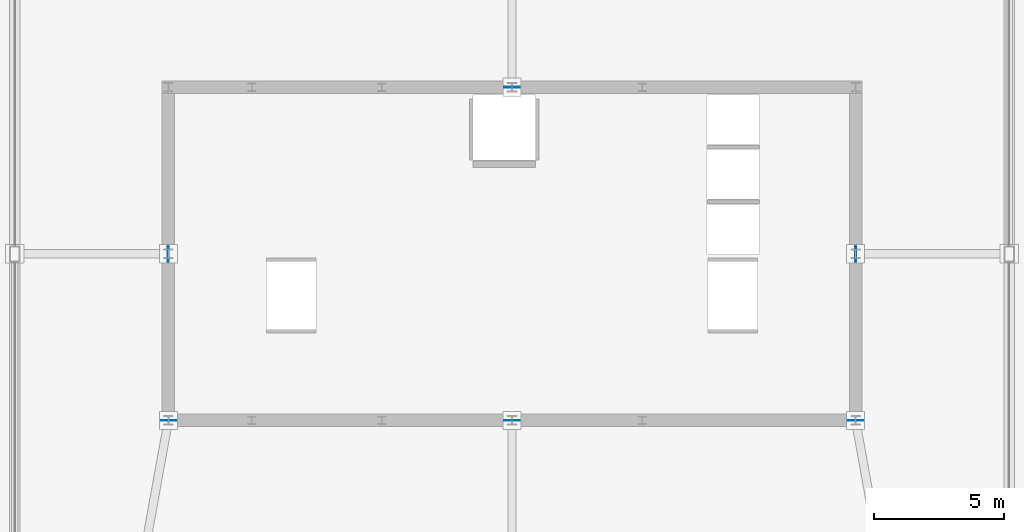
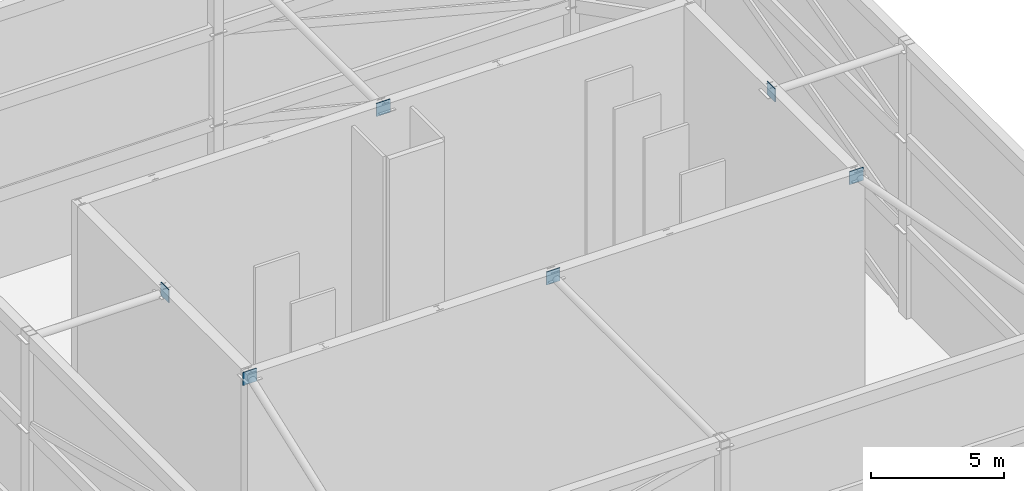
# One storey, part 5 of 6: 6 discrete accessories.
"""IFC4 building model written with IfcOpenShell, lengths in metres."""

from ifc_helpers import new_model, si_unit, direction, frame, origin, origin_2d, place, context, subcontext, project, spatial, rectangle, extrude, source, transform, mapped, material, layer, layer_set, type_object, element, save


model = new_model("IFC4")

# Units and contexts
model_context = context("Model", 3, precision=1e-05, world=origin(), true_north=direction((0.0, 1.0)))
body_context = subcontext(model_context, "Body", "Model", "MODEL_VIEW")
ifc_project = project(units=[si_unit("LENGTHUNIT", "METRE"), si_unit("AREAUNIT", "SQUARE_METRE"), si_unit("VOLUMEUNIT", "CUBIC_METRE"), si_unit("PLANEANGLEUNIT", "RADIAN"), si_unit("MASSUNIT", "GRAM", prefix="KILO"), si_unit("THERMODYNAMICTEMPERATUREUNIT", "KELVIN"), si_unit("POWERUNIT", "WATT")], contexts=[model_context])

# Site, building, storey
site_placement = place(None, origin())
site = spatial("IfcSite", under=ifc_project, at=site_placement, CompositionType="ELEMENT")
building_placement = place(site_placement, origin())
building = spatial("IfcBuilding", under=site, at=building_placement, Name="Yuzanri Waterfront Tower", CompositionType="ELEMENT")
storey_placement = place(building_placement, frame((0.0, 0.0, 351.199951171875)))
storey = spatial("IfcBuildingStorey", under=building, at=storey_placement, Name="L94", CompositionType="ELEMENT", Elevation=351.199951171875)

# Discrete accessories
ifc_material = material(Name="Steel Q355B", Category="steel")
ifc_layer = layer(ifc_material, 0.031982421875)
ifc_layer_set = layer_set([ifc_layer], Name="Steel Q355B")
discrete_accessory_type = type_object("IfcDiscreteAccessoryType", Name="Steel Q355B Core Wall Cast-In Embed Plate 600x600x32", PredefinedType="USERDEFINED", material=ifc_layer_set)
shared_shape = source(origin(), body_context, "Body", "SweptSolid", [
    extrude(rectangle(XDim=0.60009765625, YDim=0.031982421875, at=origin_2d()), origin(), (0.0, 0.0, 1.0), 0.60009765625),
])
for number, where, z_axis, x_axis, name in (
    (1, (37.0, 19.39990234375, 12.0), (0.0, 0.0, 1.0), (1.0, 0.0, 0.0), "Core Wall Cast-In Embed Plate EP-01"),
    (2, (37.0, 32.199951171875, 12.0), (0.0, 0.0, 1.0), (1.0, 0.0, 0.0), "Core Wall Cast-In Embed Plate EP-01"),
    (3, (23.800048828125, 25.800048828125, 12.0), (0.0, 0.0, 1.0), (0.0, 1.0, 0.0), "Core Wall Cast-In Embed Plate EP-01"),
    (4, (50.199951171875, 25.800048828125, 12.0), (0.0, 0.0, 1.0), (0.0, 1.0, 0.0), "Core Wall Cast-In Embed Plate EP-01"),
    (5, (23.800048828125, 19.39990234375, 12.0), (0.0, 0.0, 1.0), (1.0, 0.0, 0.0), "Core Wall Cast-In Embed Plate EP-01"),
    (6, (50.199951171875, 19.39990234375, 12.0), (0.0, 0.0, 1.0), (1.0, 0.0, 0.0), "Core Wall Cast-In Embed Plate EP-01"),
):
    element("IfcDiscreteAccessory", number, at=place(storey_placement, frame(where, z_axis=z_axis, x_axis=x_axis)), inside=storey, type_object=discrete_accessory_type, Name=name, ObjectType="CAST-IN EMBED PLATE", PredefinedType="USERDEFINED", context=body_context, shape_type="MappedRepresentation", body=[
        mapped(shared_shape, transform((0.0, 0.0, 0.0), scale=1.0)),
    ])

save(model, "model.ifc")
